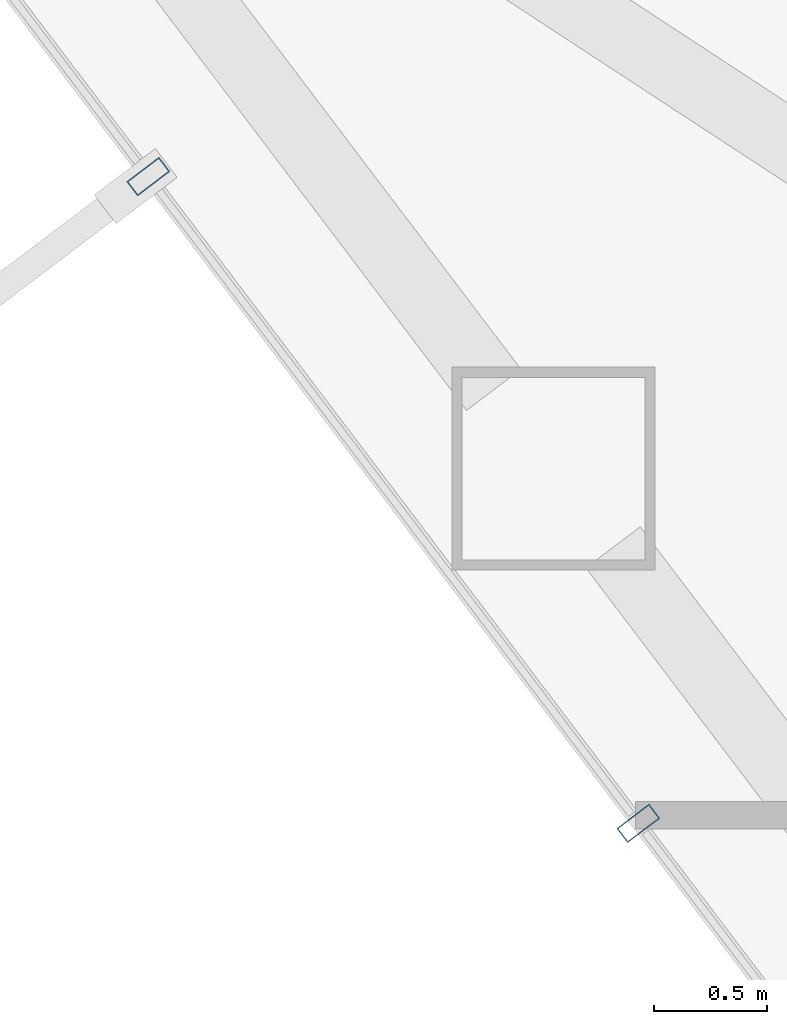
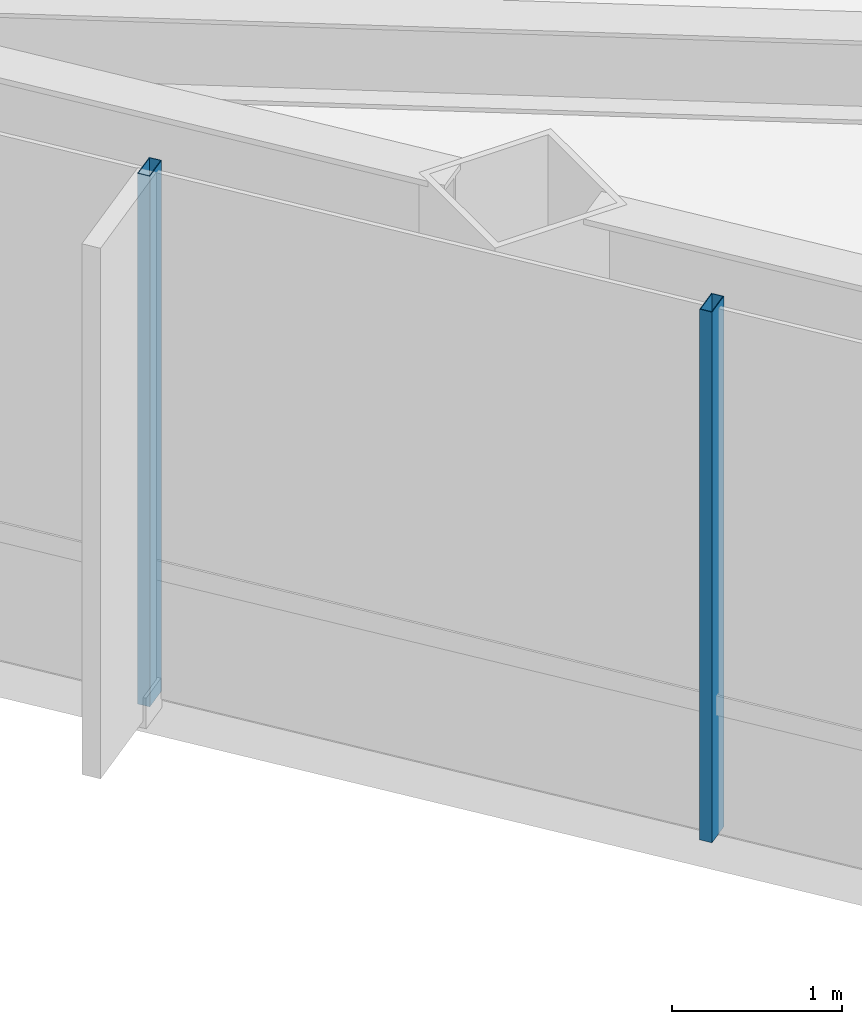
# One storey, part 4 of 25: 2 members, 1 element without a shape of its own.
"""IFC4 building model written with IfcOpenShell, lengths in metres."""

from ifc_helpers import new_model, si_unit, direction, frame, origin, origin_2d, place, context, subcontext, project, spatial, hollow_rectangle, extrude, material, layer, layer_set, material_profile, profile_set, type_object, element, aggregate, save


model = new_model("IFC4")

# Units and contexts
model_context = context("Model", 3, precision=1e-05, world=origin(), true_north=direction((0.0, 1.0)))
body_context = subcontext(model_context, "Body", "Model", "MODEL_VIEW")
ifc_project = project(units=[si_unit("LENGTHUNIT", "METRE"), si_unit("AREAUNIT", "SQUARE_METRE"), si_unit("VOLUMEUNIT", "CUBIC_METRE"), si_unit("PLANEANGLEUNIT", "RADIAN"), si_unit("MASSUNIT", "GRAM", prefix="KILO")], contexts=[model_context])

# Site, building, storey
site_placement = place(None, origin())
site = spatial("IfcSite", under=ifc_project, at=site_placement, CompositionType="ELEMENT")
building_placement = place(site_placement, origin())
building = spatial("IfcBuilding", under=site, at=building_placement, Name="Zarrinselat Tower", CompositionType="ELEMENT")
storey_placement = place(building_placement, frame((0.0, 0.0, 84.659912109375)))
storey = spatial("IfcBuildingStorey", under=building, at=storey_placement, Name="L20", CompositionType="ELEMENT", Elevation=84.659912109375)

# Curtain wall, members
ifc_material_1 = material(Name="Extruded Aluminium Alloy EN AW-6063 T6", Category="aluminium")
ifc_layer = layer(ifc_material_1, 0.18505859375)
ifc_layer_set = layer_set([ifc_layer], Name="Extruded Aluminium Alloy EN AW-6063 T6")
curtain_wall_type = type_object("IfcCurtainWallType", Name="CWS-OFF", PredefinedType="NOTDEFINED", material=ifc_layer_set)
curtain_wall_placement = place(storey_placement, origin())
curtain_wall = element("IfcCurtainWall", 1, at=curtain_wall_placement, inside=storey, type_object=curtain_wall_type, Name="L20 Unitised Curtain Wall CW-L20-E03", PredefinedType="NOTDEFINED")
ifc_material_2 = material(Name="Extruded Aluminium Alloy EN AW-6063 T6", Category="aluminium")
ifc_material_profile = material_profile(ifc_material_2, hollow_rectangle(XDim=0.080078125, YDim=0.179931640625, WallThickness=0.0048828125, at=origin_2d()), Name="RHS 180x80x5")
ifc_profile_set = profile_set([ifc_material_profile], Name="Extruded Aluminium Alloy EN AW-6063 T6")
member_type = type_object("IfcMemberType", Name="MEM-CW-MUL", PredefinedType="MULLION", material=ifc_profile_set)
member_1_placement = place(storey_placement, frame((17.555419921875, 33.031494140625, 0.0), z_axis=(0.0, 0.0, 1.0), x_axis=(0.603856459269, -0.797093079006, 0.0)))
member_1 = element("IfcMember", 2, at=member_1_placement, type_object=member_type, Name="CW-L20-E03 Mullion 1", PredefinedType="MULLION", context=body_context, shape_type="SweptSolid", body=[
    extrude(hollow_rectangle(XDim=0.080078125, YDim=0.179931640625, WallThickness=0.0048828125, at=origin_2d()), origin(), (0.0, 0.0, 1.0), 3.820068359375),
])
member_2_placement = place(storey_placement, frame((19.72802734375, 30.163818359375, 0.0), z_axis=(0.0, 0.0, 1.0), x_axis=(0.603856459269, -0.797093079006, 0.0)))
member_2 = element("IfcMember", 3, at=member_2_placement, type_object=member_type, Name="CW-L20-E03 Mullion 2", PredefinedType="MULLION", context=body_context, shape_type="SweptSolid", body=[
    extrude(hollow_rectangle(XDim=0.080078125, YDim=0.179931640625, WallThickness=0.0048828125, at=origin_2d()), origin(), (0.0, 0.0, 1.0), 3.820068359375),
])
aggregate(curtain_wall, [member_1, member_2])

save(model, "model.ifc")
